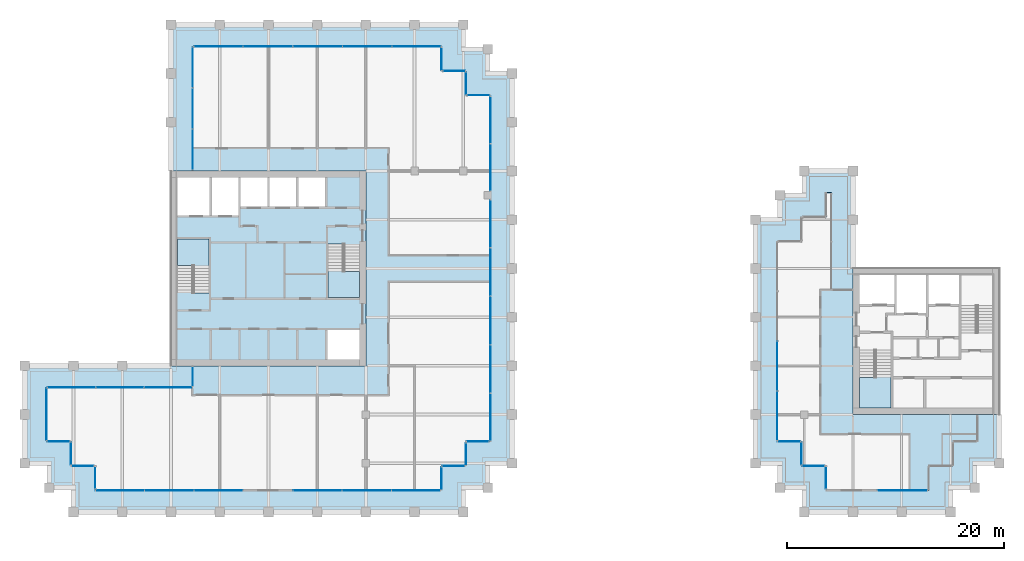
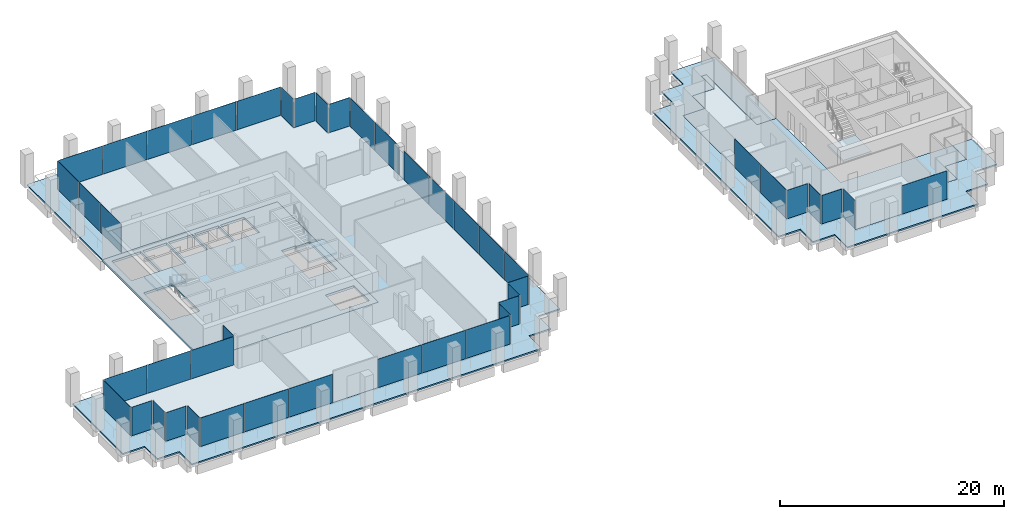
# One storey, part 34 of 40: 45 plates, 8 slabs, 30 elements without a shape of their own.
"""IFC4 building model written with IfcOpenShell, lengths in metres."""

from ifc_helpers import new_model, si_unit, direction, frame, origin, origin_2d, place, context, subcontext, project, spatial, polyline, rectangle, outline, extrude, material, layer, layer_set, type_object, element, aggregate, save


model = new_model("IFC4")

# Units and contexts
model_context = context("Model", 3, precision=1e-05, world=origin(), true_north=direction((0.0, 1.0)))
body_context = subcontext(model_context, "Body", "Model", "MODEL_VIEW")
ifc_project = project(units=[si_unit("LENGTHUNIT", "METRE"), si_unit("AREAUNIT", "SQUARE_METRE"), si_unit("VOLUMEUNIT", "CUBIC_METRE"), si_unit("PLANEANGLEUNIT", "RADIAN"), si_unit("MASSUNIT", "GRAM", prefix="KILO")], contexts=[model_context])

# Site, building, storey
site_placement = place(None, origin())
site = spatial("IfcSite", under=ifc_project, at=site_placement, CompositionType="ELEMENT")
building_placement = place(site_placement, origin())
building = spatial("IfcBuilding", under=site, at=building_placement, Name="Altepetl Exchange Towers", CompositionType="ELEMENT")
storey_placement = place(building_placement, frame((0.0, 0.0, 169.0)))
storey = spatial("IfcBuildingStorey", under=building, at=storey_placement, Name="L42", CompositionType="ELEMENT", Elevation=169.0)

# Slabs
ifc_material_1 = material(Name="Concrete C40/50", Category="concrete")
ifc_layer_1 = layer(ifc_material_1, 0.14990234375)
ifc_layer_set_1 = layer_set([ifc_layer_1], Name="Concrete C40/50")
slab_type_1 = type_object("IfcSlabType", Name="Composite floor slab 150", PredefinedType="FLOOR", material=ifc_layer_set_1)
slab_1_placement = place(storey_placement, frame((0.0, 0.0, -0.14990234375)))
element("IfcSlab", 1, at=slab_1_placement, inside=storey, type_object=slab_type_1, Name="slab:A:L42:strip0", PredefinedType="FLOOR", context=body_context, shape_type="SweptSolid", body=[
    extrude(outline(polyline([(42.5, 70.0), (42.5, 58.5), (58.5, 58.5), (58.5, 40.5), (42.5, 40.5), (42.5, 38.5), (29.0, 38.5), (29.0, 33.5), (31.25, 33.5), (31.25, 31.25), (33.5, 31.25), (33.5, 29.0), (65.5, 29.0), (65.5, 31.25), (67.75, 31.25), (67.75, 33.5), (70.0, 33.5), (70.0, 65.5), (67.75, 65.5), (67.75, 67.75), (65.5, 67.75), (65.5, 70.0), (42.5, 70.0)])), origin(), (0.0, 0.0, 1.0), 0.14990234375),
])
slab_2_placement = place(storey_placement, frame((0.0, 0.0, -0.14990234375)))
element("IfcSlab", 2, at=slab_2_placement, inside=storey, type_object=slab_type_1, Name="slab:B:L42:strip0", PredefinedType="FLOOR", context=body_context, shape_type="SweptSolid", body=[
    extrude(outline(polyline([(98.75, 31.25), (101.0, 31.25), (101.0, 29.0), (110.5, 29.0), (110.5, 31.25), (112.75, 31.25), (112.75, 33.5), (115.0, 33.5), (115.0, 36.0), (103.5, 36.0), (103.5, 47.5), (101.5, 47.5), (101.5, 56.5), (101.0, 56.5), (101.0, 54.25), (98.75, 54.25), (98.75, 52.0), (96.5, 52.0), (96.5, 33.5), (98.75, 33.5), (98.75, 31.25)])), origin(), (0.0, 0.0, 1.0), 0.14990234375),
])
ifc_layer_2 = layer(ifc_material_1, 0.25)
ifc_layer_set_2 = layer_set([ifc_layer_2], Name="Concrete C40/50")
slab_type_2 = type_object("IfcSlabType", Name="Core floor slab 250", PredefinedType="FLOOR", material=ifc_layer_set_2)
slab_3_placement = place(storey_placement, frame((0.0, 0.0, -0.25)))
element("IfcSlab", 3, at=slab_3_placement, inside=storey, type_object=slab_type_2, Name="slab:A:L42:core0", PredefinedType="FLOOR", context=body_context, shape_type="SweptSolid", body=[
    extrude(outline(polyline([(40.5, 40.5), (58.5, 40.5), (58.5, 58.5), (40.5, 58.5), (40.5, 40.5)]), holes=[polyline([(54.93310546875, 43.800048828125), (57.89990234375, 43.800048828125), (57.89990234375, 41.10009765625), (54.93310546875, 41.10009765625), (54.93310546875, 43.800048828125)]), polyline([(55.0, 51.7490234375), (56.5, 51.7490234375), (56.5, 51.64990234375), (57.89990234375, 51.64990234375), (57.89990234375, 46.800048828125), (55.0, 46.800048828125), (55.0, 51.7490234375)]), polyline([(44.0, 47.2509765625), (42.5, 47.2509765625), (42.5, 47.35009765625), (41.10009765625, 47.35009765625), (41.10009765625, 52.199951171875), (44.0, 52.199951171875), (44.0, 47.2509765625)]), polyline([(41.10009765625, 57.89990234375), (44.06689453125, 57.89990234375), (44.06689453125, 54.39990234375), (41.10009765625, 54.39990234375), (41.10009765625, 57.89990234375)]), polyline([(44.26708984375, 57.89990234375), (46.73291015625, 57.89990234375), (46.73291015625, 54.39990234375), (44.26708984375, 54.39990234375), (44.26708984375, 57.89990234375)]), polyline([(46.93310546875, 57.89990234375), (49.39990234375, 57.89990234375), (49.39990234375, 55.199951171875), (46.93310546875, 55.199951171875), (46.93310546875, 57.89990234375)]), polyline([(49.60009765625, 57.89990234375), (52.06689453125, 57.89990234375), (52.06689453125, 55.199951171875), (49.60009765625, 55.199951171875), (49.60009765625, 57.89990234375)]), polyline([(52.26708984375, 57.89990234375), (54.73291015625, 57.89990234375), (54.73291015625, 55.199951171875), (52.26708984375, 55.199951171875), (52.26708984375, 57.89990234375)])]), origin(), (0.0, 0.0, 1.0), 0.25),
])

# Curtain wall, plate
ifc_material_2 = material(Name="Aluminium 6063-T6 glazing", Category="aluminium")
curtain_wall_type = type_object("IfcCurtainWallType", Name="Loggia glazing system", PredefinedType="NOTDEFINED", material=ifc_material_2)
curtain_wall_1_placement = place(storey_placement, origin())
curtain_wall_1 = element("IfcCurtainWall", 4, at=curtain_wall_1_placement, inside=storey, type_object=curtain_wall_type, Name="CW1 run", PredefinedType="NOTDEFINED")
ifc_material_3 = material(Name="Glass 6-16-6 low emissivity", Category="glass")
ifc_layer_3 = layer(ifc_material_3, 0.028076171875)
ifc_layer_set_3 = layer_set([ifc_layer_3], Name="Glass 6-16-6 low emissivity")
plate_type = type_object("IfcPlateType", Name="Glass panel 28 double glazed", PredefinedType="CURTAIN_PANEL", material=ifc_layer_set_3)
plate_1_placement = place(storey_placement, frame((42.5, 39.53759765625, 0.0), z_axis=(0.0, 0.0, 1.0), x_axis=(0.0, -1.0, 0.0)))
plate_1 = element("IfcPlate", 5, at=plate_1_placement, type_object=plate_type, Name="GP1 panel", PredefinedType="CURTAIN_PANEL", context=body_context, shape_type="SweptSolid", body=[
    extrude(rectangle(XDim=1.804931640625, YDim=0.028076171875, at=origin_2d()), origin(), (0.0, 0.0, 1.0), 3.10009765625),
])
aggregate(curtain_wall_1, [plate_1])

# Curtain wall, plates
curtain_wall_2_placement = place(storey_placement, origin())
curtain_wall_2 = element("IfcCurtainWall", 6, at=curtain_wall_2_placement, inside=storey, type_object=curtain_wall_type, Name="CW1 run", PredefinedType="NOTDEFINED")
plate_2_placement = place(storey_placement, frame((40.24755859375, 38.5, 0.0), z_axis=(0.0, 0.0, 1.0), x_axis=(-1.0, 0.0, 0.0)))
plate_2 = element("IfcPlate", 7, at=plate_2_placement, type_object=plate_type, Name="GP1 panel", PredefinedType="CURTAIN_PANEL", context=body_context, shape_type="SweptSolid", body=[
    extrude(rectangle(XDim=4.385009765625, YDim=0.028076171875, at=origin_2d()), origin(), (0.0, 0.0, 1.0), 3.10009765625),
])
plate_3_placement = place(storey_placement, frame((35.78759765625, 38.5, 0.0), z_axis=(0.0, 0.0, 1.0), x_axis=(-1.0, 0.0, 0.0)))
plate_3 = element("IfcPlate", 8, at=plate_3_placement, type_object=plate_type, Name="GP1 panel", PredefinedType="CURTAIN_PANEL", context=body_context, shape_type="SweptSolid", body=[
    extrude(rectangle(XDim=4.4150390625, YDim=0.028076171875, at=origin_2d()), origin(), (0.0, 0.0, 1.0), 3.10009765625),
])
plate_4_placement = place(storey_placement, frame((31.327392578125, 38.5, 0.0), z_axis=(0.0, 0.0, 1.0), x_axis=(-1.0, 0.0, 0.0)))
plate_4 = element("IfcPlate", 9, at=plate_4_placement, type_object=plate_type, Name="GP1 panel", PredefinedType="CURTAIN_PANEL", context=body_context, shape_type="SweptSolid", body=[
    extrude(rectangle(XDim=4.385009765625, YDim=0.028076171875, at=origin_2d()), origin(), (0.0, 0.0, 1.0), 3.10009765625),
])
aggregate(curtain_wall_2, [plate_2, plate_3, plate_4])

# Curtain wall, plate
curtain_wall_3_placement = place(storey_placement, origin())
curtain_wall_3 = element("IfcCurtainWall", 10, at=curtain_wall_3_placement, inside=storey, type_object=curtain_wall_type, Name="CW1 run", PredefinedType="NOTDEFINED")
plate_5_placement = place(storey_placement, frame((29.0, 36.03759765625, 0.0), z_axis=(0.0, 0.0, 1.0), x_axis=(0.0, -1.0, 0.0)))
plate_5 = element("IfcPlate", 11, at=plate_5_placement, type_object=plate_type, Name="GP1 panel", PredefinedType="CURTAIN_PANEL", context=body_context, shape_type="SweptSolid", body=[
    extrude(rectangle(XDim=4.804931640625, YDim=0.028076171875, at=origin_2d()), origin(), (0.0, 0.0, 1.0), 3.10009765625),
])
aggregate(curtain_wall_3, [plate_5])

curtain_wall_4_placement = place(storey_placement, origin())
curtain_wall_4 = element("IfcCurtainWall", 12, at=curtain_wall_4_placement, inside=storey, type_object=curtain_wall_type, Name="CW1 run", PredefinedType="NOTDEFINED")
plate_6_placement = place(storey_placement, frame((30.08740234375, 33.5, 0.0)))
plate_6 = element("IfcPlate", 13, at=plate_6_placement, type_object=plate_type, Name="GP1 panel", PredefinedType="CURTAIN_PANEL", context=body_context, shape_type="SweptSolid", body=[
    extrude(rectangle(XDim=2.054931640625, YDim=0.028076171875, at=origin_2d()), origin(), (0.0, 0.0, 1.0), 3.10009765625),
])
aggregate(curtain_wall_4, [plate_6])

curtain_wall_5_placement = place(storey_placement, origin())
curtain_wall_5 = element("IfcCurtainWall", 14, at=curtain_wall_5_placement, inside=storey, type_object=curtain_wall_type, Name="CW1 run", PredefinedType="NOTDEFINED")
plate_7_placement = place(storey_placement, frame((31.25, 32.41259765625, 0.0), z_axis=(0.0, 0.0, 1.0), x_axis=(0.0, -1.0, 0.0)))
plate_7 = element("IfcPlate", 15, at=plate_7_placement, type_object=plate_type, Name="GP1 panel", PredefinedType="CURTAIN_PANEL", context=body_context, shape_type="SweptSolid", body=[
    extrude(rectangle(XDim=2.054931640625, YDim=0.028076171875, at=origin_2d()), origin(), (0.0, 0.0, 1.0), 3.10009765625),
])
aggregate(curtain_wall_5, [plate_7])

curtain_wall_6_placement = place(storey_placement, origin())
curtain_wall_6 = element("IfcCurtainWall", 16, at=curtain_wall_6_placement, inside=storey, type_object=curtain_wall_type, Name="CW1 run", PredefinedType="NOTDEFINED")
plate_8_placement = place(storey_placement, frame((32.33740234375, 31.25, 0.0)))
plate_8 = element("IfcPlate", 17, at=plate_8_placement, type_object=plate_type, Name="GP1 panel", PredefinedType="CURTAIN_PANEL", context=body_context, shape_type="SweptSolid", body=[
    extrude(rectangle(XDim=2.054931640625, YDim=0.028076171875, at=origin_2d()), origin(), (0.0, 0.0, 1.0), 3.10009765625),
])
aggregate(curtain_wall_6, [plate_8])

curtain_wall_7_placement = place(storey_placement, origin())
curtain_wall_7 = element("IfcCurtainWall", 18, at=curtain_wall_7_placement, inside=storey, type_object=curtain_wall_type, Name="CW1 run", PredefinedType="NOTDEFINED")
plate_9_placement = place(storey_placement, frame((33.5, 30.16259765625, 0.0), z_axis=(0.0, 0.0, 1.0), x_axis=(0.0, -1.0, 0.0)))
plate_9 = element("IfcPlate", 19, at=plate_9_placement, type_object=plate_type, Name="GP1 panel", PredefinedType="CURTAIN_PANEL", context=body_context, shape_type="SweptSolid", body=[
    extrude(rectangle(XDim=2.054931640625, YDim=0.028076171875, at=origin_2d()), origin(), (0.0, 0.0, 1.0), 3.10009765625),
])
aggregate(curtain_wall_7, [plate_9])

# Curtain wall, plates
curtain_wall_8_placement = place(storey_placement, origin())
curtain_wall_8 = element("IfcCurtainWall", 20, at=curtain_wall_8_placement, inside=storey, type_object=curtain_wall_type, Name="CW1 run", PredefinedType="NOTDEFINED")
plate_10_placement = place(storey_placement, frame((35.79541015625, 29.0, 0.0)))
plate_10 = element("IfcPlate", 21, at=plate_10_placement, type_object=plate_type, Name="GP1 panel", PredefinedType="CURTAIN_PANEL", context=body_context, shape_type="SweptSolid", body=[
    extrude(rectangle(XDim=4.470703125, YDim=0.028076171875, at=origin_2d()), origin(), (0.0, 0.0, 1.0), 3.10009765625),
])
plate_11_placement = place(storey_placement, frame((40.341064453125, 29.0, 0.0)))
plate_11 = element("IfcPlate", 22, at=plate_11_placement, type_object=plate_type, Name="GP1 panel", PredefinedType="CURTAIN_PANEL", context=body_context, shape_type="SweptSolid", body=[
    extrude(rectangle(XDim=4.500732421875, YDim=0.028076171875, at=origin_2d()), origin(), (0.0, 0.0, 1.0), 3.10009765625),
])
plate_12_placement = place(storey_placement, frame((44.88671875, 29.0, 0.0)))
plate_12 = element("IfcPlate", 23, at=plate_12_placement, type_object=plate_type, Name="GP1 panel", PredefinedType="CURTAIN_PANEL", context=body_context, shape_type="SweptSolid", body=[
    extrude(rectangle(XDim=4.470703125, YDim=0.028076171875, at=origin_2d()), origin(), (0.0, 0.0, 1.0), 3.10009765625),
])
aggregate(curtain_wall_8, [plate_10, plate_11, plate_12])

curtain_wall_9_placement = place(storey_placement, origin())
curtain_wall_9 = element("IfcCurtainWall", 24, at=curtain_wall_9_placement, inside=storey, type_object=curtain_wall_type, Name="CW1 run", PredefinedType="NOTDEFINED")
plate_13_placement = place(storey_placement, frame((54.038330078125, 29.0, 0.0)))
plate_13 = element("IfcPlate", 25, at=plate_13_placement, type_object=plate_type, Name="GP1 panel", PredefinedType="CURTAIN_PANEL", context=body_context, shape_type="SweptSolid", body=[
    extrude(rectangle(XDim=4.470703125, YDim=0.028076171875, at=origin_2d()), origin(), (0.0, 0.0, 1.0), 3.10009765625),
])
plate_14_placement = place(storey_placement, frame((58.583984375, 29.0, 0.0)))
plate_14 = element("IfcPlate", 26, at=plate_14_placement, type_object=plate_type, Name="GP1 panel", PredefinedType="CURTAIN_PANEL", context=body_context, shape_type="SweptSolid", body=[
    extrude(rectangle(XDim=4.500732421875, YDim=0.028076171875, at=origin_2d()), origin(), (0.0, 0.0, 1.0), 3.10009765625),
])
plate_15_placement = place(storey_placement, frame((63.129638671875, 29.0, 0.0)))
plate_15 = element("IfcPlate", 27, at=plate_15_placement, type_object=plate_type, Name="GP1 panel", PredefinedType="CURTAIN_PANEL", context=body_context, shape_type="SweptSolid", body=[
    extrude(rectangle(XDim=4.470703125, YDim=0.028076171875, at=origin_2d()), origin(), (0.0, 0.0, 1.0), 3.10009765625),
])
aggregate(curtain_wall_9, [plate_13, plate_14, plate_15])

# Curtain wall, plate
curtain_wall_10_placement = place(storey_placement, origin())
curtain_wall_10 = element("IfcCurtainWall", 28, at=curtain_wall_10_placement, inside=storey, type_object=curtain_wall_type, Name="CW1 run", PredefinedType="NOTDEFINED")
plate_16_placement = place(storey_placement, frame((65.5, 30.08740234375, 0.0), z_axis=(0.0, 0.0, 1.0), x_axis=(0.0, 1.0, 0.0)))
plate_16 = element("IfcPlate", 29, at=plate_16_placement, type_object=plate_type, Name="GP1 panel", PredefinedType="CURTAIN_PANEL", context=body_context, shape_type="SweptSolid", body=[
    extrude(rectangle(XDim=2.054931640625, YDim=0.028076171875, at=origin_2d()), origin(), (0.0, 0.0, 1.0), 3.10009765625),
])
aggregate(curtain_wall_10, [plate_16])

curtain_wall_11_placement = place(storey_placement, origin())
curtain_wall_11 = element("IfcCurtainWall", 30, at=curtain_wall_11_placement, inside=storey, type_object=curtain_wall_type, Name="CW1 run", PredefinedType="NOTDEFINED")
plate_17_placement = place(storey_placement, frame((66.58740234375, 31.25, 0.0)))
plate_17 = element("IfcPlate", 31, at=plate_17_placement, type_object=plate_type, Name="GP1 panel", PredefinedType="CURTAIN_PANEL", context=body_context, shape_type="SweptSolid", body=[
    extrude(rectangle(XDim=2.054931640625, YDim=0.028076171875, at=origin_2d()), origin(), (0.0, 0.0, 1.0), 3.10009765625),
])
aggregate(curtain_wall_11, [plate_17])

curtain_wall_12_placement = place(storey_placement, origin())
curtain_wall_12 = element("IfcCurtainWall", 32, at=curtain_wall_12_placement, inside=storey, type_object=curtain_wall_type, Name="CW1 run", PredefinedType="NOTDEFINED")
plate_18_placement = place(storey_placement, frame((67.75, 32.33740234375, 0.0), z_axis=(0.0, 0.0, 1.0), x_axis=(0.0, 1.0, 0.0)))
plate_18 = element("IfcPlate", 33, at=plate_18_placement, type_object=plate_type, Name="GP1 panel", PredefinedType="CURTAIN_PANEL", context=body_context, shape_type="SweptSolid", body=[
    extrude(rectangle(XDim=2.054931640625, YDim=0.028076171875, at=origin_2d()), origin(), (0.0, 0.0, 1.0), 3.10009765625),
])
aggregate(curtain_wall_12, [plate_18])

curtain_wall_13_placement = place(storey_placement, origin())
curtain_wall_13 = element("IfcCurtainWall", 34, at=curtain_wall_13_placement, inside=storey, type_object=curtain_wall_type, Name="CW1 run", PredefinedType="NOTDEFINED")
plate_19_placement = place(storey_placement, frame((68.83740234375, 33.5, 0.0)))
plate_19 = element("IfcPlate", 35, at=plate_19_placement, type_object=plate_type, Name="GP1 panel", PredefinedType="CURTAIN_PANEL", context=body_context, shape_type="SweptSolid", body=[
    extrude(rectangle(XDim=2.054931640625, YDim=0.028076171875, at=origin_2d()), origin(), (0.0, 0.0, 1.0), 3.10009765625),
])
aggregate(curtain_wall_13, [plate_19])

# Curtain wall, plates
curtain_wall_14_placement = place(storey_placement, origin())
curtain_wall_14 = element("IfcCurtainWall", 36, at=curtain_wall_14_placement, inside=storey, type_object=curtain_wall_type, Name="CW1 run", PredefinedType="NOTDEFINED")
plate_20_placement = place(storey_placement, frame((70.0, 35.7529296875, 0.0), z_axis=(0.0, 0.0, 1.0), x_axis=(0.0, 1.0, 0.0)))
plate_20 = element("IfcPlate", 37, at=plate_20_placement, type_object=plate_type, Name="GP1 panel", PredefinedType="CURTAIN_PANEL", context=body_context, shape_type="SweptSolid", body=[
    extrude(rectangle(XDim=4.385986328125, YDim=0.028076171875, at=origin_2d()), origin(), (0.0, 0.0, 1.0), 3.10009765625),
])
plate_21_placement = place(storey_placement, frame((70.0, 40.214111328125, 0.0), z_axis=(0.0, 0.0, 1.0), x_axis=(0.0, 1.0, 0.0)))
plate_21 = element("IfcPlate", 38, at=plate_21_placement, type_object=plate_type, Name="GP1 panel", PredefinedType="CURTAIN_PANEL", context=body_context, shape_type="SweptSolid", body=[
    extrude(rectangle(XDim=4.416015625, YDim=0.028076171875, at=origin_2d()), origin(), (0.0, 0.0, 1.0), 3.10009765625),
])
plate_22_placement = place(storey_placement, frame((70.0, 44.68994140625, 0.0), z_axis=(0.0, 0.0, 1.0), x_axis=(0.0, 1.0, 0.0)))
plate_22 = element("IfcPlate", 39, at=plate_22_placement, type_object=plate_type, Name="GP1 panel", PredefinedType="CURTAIN_PANEL", context=body_context, shape_type="SweptSolid", body=[
    extrude(rectangle(XDim=4.416015625, YDim=0.028076171875, at=origin_2d()), origin(), (0.0, 0.0, 1.0), 3.10009765625),
])
plate_23_placement = place(storey_placement, frame((70.0, 49.166015625, 0.0), z_axis=(0.0, 0.0, 1.0), x_axis=(0.0, 1.0, 0.0)))
plate_23 = element("IfcPlate", 40, at=plate_23_placement, type_object=plate_type, Name="GP1 panel", PredefinedType="CURTAIN_PANEL", context=body_context, shape_type="SweptSolid", body=[
    extrude(rectangle(XDim=4.416015625, YDim=0.028076171875, at=origin_2d()), origin(), (0.0, 0.0, 1.0), 3.10009765625),
])
plate_24_placement = place(storey_placement, frame((70.0, 53.626953125, 0.0), z_axis=(0.0, 0.0, 1.0), x_axis=(0.0, 1.0, 0.0)))
plate_24 = element("IfcPlate", 41, at=plate_24_placement, type_object=plate_type, Name="GP1 panel", PredefinedType="CURTAIN_PANEL", context=body_context, shape_type="SweptSolid", body=[
    extrude(rectangle(XDim=4.385986328125, YDim=0.028076171875, at=origin_2d()), origin(), (0.0, 0.0, 1.0), 3.10009765625),
])
aggregate(curtain_wall_14, [plate_20, plate_21, plate_22, plate_23, plate_24])

curtain_wall_15_placement = place(storey_placement, origin())
curtain_wall_15 = element("IfcCurtainWall", 42, at=curtain_wall_15_placement, inside=storey, type_object=curtain_wall_type, Name="CW1 run", PredefinedType="NOTDEFINED")
plate_25_placement = place(storey_placement, frame((70.0, 58.836181640625, 0.0), z_axis=(0.0, 0.0, 1.0), x_axis=(0.0, 1.0, 0.0)))
plate_25 = element("IfcPlate", 43, at=plate_25_placement, type_object=plate_type, Name="GP1 panel", PredefinedType="CURTAIN_PANEL", context=body_context, shape_type="SweptSolid", body=[
    extrude(rectangle(XDim=4.3125, YDim=0.028076171875, at=origin_2d()), origin(), (0.0, 0.0, 1.0), 3.10009765625),
])
plate_26_placement = place(storey_placement, frame((70.0, 63.208740234375, 0.0), z_axis=(0.0, 0.0, 1.0), x_axis=(0.0, 1.0, 0.0)))
plate_26 = element("IfcPlate", 44, at=plate_26_placement, type_object=plate_type, Name="GP1 panel", PredefinedType="CURTAIN_PANEL", context=body_context, shape_type="SweptSolid", body=[
    extrude(rectangle(XDim=4.3125, YDim=0.028076171875, at=origin_2d()), origin(), (0.0, 0.0, 1.0), 3.10009765625),
])
aggregate(curtain_wall_15, [plate_25, plate_26])

# Curtain wall, plate
curtain_wall_16_placement = place(storey_placement, origin())
curtain_wall_16 = element("IfcCurtainWall", 45, at=curtain_wall_16_placement, inside=storey, type_object=curtain_wall_type, Name="CW1 run", PredefinedType="NOTDEFINED")
plate_27_placement = place(storey_placement, frame((68.91259765625, 65.5, 0.0), z_axis=(0.0, 0.0, 1.0), x_axis=(-1.0, 0.0, 0.0)))
plate_27 = element("IfcPlate", 46, at=plate_27_placement, type_object=plate_type, Name="GP1 panel", PredefinedType="CURTAIN_PANEL", context=body_context, shape_type="SweptSolid", body=[
    extrude(rectangle(XDim=2.054931640625, YDim=0.028076171875, at=origin_2d()), origin(), (0.0, 0.0, 1.0), 3.10009765625),
])
aggregate(curtain_wall_16, [plate_27])

curtain_wall_17_placement = place(storey_placement, origin())
curtain_wall_17 = element("IfcCurtainWall", 47, at=curtain_wall_17_placement, inside=storey, type_object=curtain_wall_type, Name="CW1 run", PredefinedType="NOTDEFINED")
plate_28_placement = place(storey_placement, frame((67.75, 66.58740234375, 0.0), z_axis=(0.0, 0.0, 1.0), x_axis=(0.0, 1.0, 0.0)))
plate_28 = element("IfcPlate", 48, at=plate_28_placement, type_object=plate_type, Name="GP1 panel", PredefinedType="CURTAIN_PANEL", context=body_context, shape_type="SweptSolid", body=[
    extrude(rectangle(XDim=2.054931640625, YDim=0.028076171875, at=origin_2d()), origin(), (0.0, 0.0, 1.0), 3.10009765625),
])
aggregate(curtain_wall_17, [plate_28])

curtain_wall_18_placement = place(storey_placement, origin())
curtain_wall_18 = element("IfcCurtainWall", 49, at=curtain_wall_18_placement, inside=storey, type_object=curtain_wall_type, Name="CW1 run", PredefinedType="NOTDEFINED")
plate_29_placement = place(storey_placement, frame((66.66259765625, 67.75, 0.0), z_axis=(0.0, 0.0, 1.0), x_axis=(-1.0, 0.0, 0.0)))
plate_29 = element("IfcPlate", 50, at=plate_29_placement, type_object=plate_type, Name="GP1 panel", PredefinedType="CURTAIN_PANEL", context=body_context, shape_type="SweptSolid", body=[
    extrude(rectangle(XDim=2.054931640625, YDim=0.028076171875, at=origin_2d()), origin(), (0.0, 0.0, 1.0), 3.10009765625),
])
aggregate(curtain_wall_18, [plate_29])

curtain_wall_19_placement = place(storey_placement, origin())
curtain_wall_19 = element("IfcCurtainWall", 51, at=curtain_wall_19_placement, inside=storey, type_object=curtain_wall_type, Name="CW1 run", PredefinedType="NOTDEFINED")
plate_30_placement = place(storey_placement, frame((65.5, 68.83740234375, 0.0), z_axis=(0.0, 0.0, 1.0), x_axis=(0.0, 1.0, 0.0)))
plate_30 = element("IfcPlate", 52, at=plate_30_placement, type_object=plate_type, Name="GP1 panel", PredefinedType="CURTAIN_PANEL", context=body_context, shape_type="SweptSolid", body=[
    extrude(rectangle(XDim=2.054931640625, YDim=0.028076171875, at=origin_2d()), origin(), (0.0, 0.0, 1.0), 3.10009765625),
])
aggregate(curtain_wall_19, [plate_30])

# Curtain wall, plates
curtain_wall_20_placement = place(storey_placement, origin())
curtain_wall_20 = element("IfcCurtainWall", 53, at=curtain_wall_20_placement, inside=storey, type_object=curtain_wall_type, Name="CW1 run", PredefinedType="NOTDEFINED")
plate_31_placement = place(storey_placement, frame((63.1923828125, 70.0, 0.0), z_axis=(0.0, 0.0, 1.0), x_axis=(-1.0, 0.0, 0.0)))
plate_31 = element("IfcPlate", 54, at=plate_31_placement, type_object=plate_type, Name="GP1 panel", PredefinedType="CURTAIN_PANEL", context=body_context, shape_type="SweptSolid", body=[
    extrude(rectangle(XDim=4.4951171875, YDim=0.028076171875, at=origin_2d()), origin(), (0.0, 0.0, 1.0), 3.10009765625),
])
plate_32_placement = place(storey_placement, frame((58.62255859375, 70.0, 0.0), z_axis=(0.0, 0.0, 1.0), x_axis=(-1.0, 0.0, 0.0)))
plate_32 = element("IfcPlate", 55, at=plate_32_placement, type_object=plate_type, Name="GP1 panel", PredefinedType="CURTAIN_PANEL", context=body_context, shape_type="SweptSolid", body=[
    extrude(rectangle(XDim=4.52490234375, YDim=0.028076171875, at=origin_2d()), origin(), (0.0, 0.0, 1.0), 3.10009765625),
])
plate_33_placement = place(storey_placement, frame((54.03759765625, 70.0, 0.0), z_axis=(0.0, 0.0, 1.0), x_axis=(-1.0, 0.0, 0.0)))
plate_33 = element("IfcPlate", 56, at=plate_33_placement, type_object=plate_type, Name="GP1 panel", PredefinedType="CURTAIN_PANEL", context=body_context, shape_type="SweptSolid", body=[
    extrude(rectangle(XDim=4.52490234375, YDim=0.028076171875, at=origin_2d()), origin(), (0.0, 0.0, 1.0), 3.10009765625),
])
plate_34_placement = place(storey_placement, frame((49.452392578125, 70.0, 0.0), z_axis=(0.0, 0.0, 1.0), x_axis=(-1.0, 0.0, 0.0)))
plate_34 = element("IfcPlate", 57, at=plate_34_placement, type_object=plate_type, Name="GP1 panel", PredefinedType="CURTAIN_PANEL", context=body_context, shape_type="SweptSolid", body=[
    extrude(rectangle(XDim=4.52490234375, YDim=0.028076171875, at=origin_2d()), origin(), (0.0, 0.0, 1.0), 3.10009765625),
])
plate_35_placement = place(storey_placement, frame((44.882568359375, 70.0, 0.0), z_axis=(0.0, 0.0, 1.0), x_axis=(-1.0, 0.0, 0.0)))
plate_35 = element("IfcPlate", 58, at=plate_35_placement, type_object=plate_type, Name="GP1 panel", PredefinedType="CURTAIN_PANEL", context=body_context, shape_type="SweptSolid", body=[
    extrude(rectangle(XDim=4.4951171875, YDim=0.028076171875, at=origin_2d()), origin(), (0.0, 0.0, 1.0), 3.10009765625),
])
aggregate(curtain_wall_20, [plate_31, plate_32, plate_33, plate_34, plate_35])

curtain_wall_21_placement = place(storey_placement, origin())
curtain_wall_21 = element("IfcCurtainWall", 59, at=curtain_wall_21_placement, inside=storey, type_object=curtain_wall_type, Name="CW1 run", PredefinedType="NOTDEFINED")
plate_36_placement = place(storey_placement, frame((42.5, 68.080810546875, 0.0), z_axis=(0.0, 0.0, 1.0), x_axis=(0.0, -1.0, 0.0)))
plate_36 = element("IfcPlate", 60, at=plate_36_placement, type_object=plate_type, Name="GP1 panel", PredefinedType="CURTAIN_PANEL", context=body_context, shape_type="SweptSolid", body=[
    extrude(rectangle(XDim=3.71826171875, YDim=0.028076171875, at=origin_2d()), origin(), (0.0, 0.0, 1.0), 3.10009765625),
])
plate_37_placement = place(storey_placement, frame((42.5, 64.28759765625, 0.0), z_axis=(0.0, 0.0, 1.0), x_axis=(0.0, -1.0, 0.0)))
plate_37 = element("IfcPlate", 61, at=plate_37_placement, type_object=plate_type, Name="GP1 panel", PredefinedType="CURTAIN_PANEL", context=body_context, shape_type="SweptSolid", body=[
    extrude(rectangle(XDim=3.748291015625, YDim=0.028076171875, at=origin_2d()), origin(), (0.0, 0.0, 1.0), 3.10009765625),
])
plate_38_placement = place(storey_placement, frame((42.5, 60.494140625, 0.0), z_axis=(0.0, 0.0, 1.0), x_axis=(0.0, -1.0, 0.0)))
plate_38 = element("IfcPlate", 62, at=plate_38_placement, type_object=plate_type, Name="GP1 panel", PredefinedType="CURTAIN_PANEL", context=body_context, shape_type="SweptSolid", body=[
    extrude(rectangle(XDim=3.71826171875, YDim=0.028076171875, at=origin_2d()), origin(), (0.0, 0.0, 1.0), 3.10009765625),
])
aggregate(curtain_wall_21, [plate_36, plate_37, plate_38])

# Curtain wall, plate
curtain_wall_22_placement = place(storey_placement, origin())
curtain_wall_22 = element("IfcCurtainWall", 63, at=curtain_wall_22_placement, inside=storey, type_object=curtain_wall_type, Name="CW1 run", PredefinedType="NOTDEFINED")
plate_39_placement = place(storey_placement, frame((101.0, 30.16259765625, 0.0), z_axis=(0.0, 0.0, 1.0), x_axis=(0.0, -1.0, 0.0)))
plate_39 = element("IfcPlate", 64, at=plate_39_placement, type_object=plate_type, Name="GP1 panel", PredefinedType="CURTAIN_PANEL", context=body_context, shape_type="SweptSolid", body=[
    extrude(rectangle(XDim=2.054931640625, YDim=0.028076171875, at=origin_2d()), origin(), (0.0, 0.0, 1.0), 3.10009765625),
])
aggregate(curtain_wall_22, [plate_39])

curtain_wall_23_placement = place(storey_placement, origin())
curtain_wall_23 = element("IfcCurtainWall", 65, at=curtain_wall_23_placement, inside=storey, type_object=curtain_wall_type, Name="CW1 run", PredefinedType="NOTDEFINED")
plate_40_placement = place(storey_placement, frame((108.06884765625, 29.0, 0.0)))
plate_40 = element("IfcPlate", 66, at=plate_40_placement, type_object=plate_type, Name="GP1 panel", PredefinedType="CURTAIN_PANEL", context=body_context, shape_type="SweptSolid", body=[
    extrude(rectangle(XDim=4.592529296875, YDim=0.028076171875, at=origin_2d()), origin(), (0.0, 0.0, 1.0), 3.10009765625),
])
aggregate(curtain_wall_23, [plate_40])

# Curtain wall, plates
curtain_wall_24_placement = place(storey_placement, origin())
curtain_wall_24 = element("IfcCurtainWall", 67, at=curtain_wall_24_placement, inside=storey, type_object=curtain_wall_type, Name="CW1 run", PredefinedType="NOTDEFINED")
plate_41_placement = place(storey_placement, frame((96.5, 40.484375, 0.0), z_axis=(0.0, 0.0, 1.0), x_axis=(0.0, -1.0, 0.0)))
plate_41 = element("IfcPlate", 68, at=plate_41_placement, type_object=plate_type, Name="GP1 panel", PredefinedType="CURTAIN_PANEL", context=body_context, shape_type="SweptSolid", body=[
    extrude(rectangle(XDim=4.546142578125, YDim=0.028076171875, at=origin_2d()), origin(), (0.0, 0.0, 1.0), 3.10009765625),
])
plate_42_placement = place(storey_placement, frame((96.5, 35.89306640625, 0.0), z_axis=(0.0, 0.0, 1.0), x_axis=(0.0, -1.0, 0.0)))
plate_42 = element("IfcPlate", 69, at=plate_42_placement, type_object=plate_type, Name="GP1 panel", PredefinedType="CURTAIN_PANEL", context=body_context, shape_type="SweptSolid", body=[
    extrude(rectangle(XDim=4.516357421875, YDim=0.028076171875, at=origin_2d()), origin(), (0.0, 0.0, 1.0), 3.10009765625),
])
aggregate(curtain_wall_24, [plate_41, plate_42])

# Curtain wall, plate
curtain_wall_25_placement = place(storey_placement, origin())
curtain_wall_25 = element("IfcCurtainWall", 70, at=curtain_wall_25_placement, inside=storey, type_object=curtain_wall_type, Name="CW1 run", PredefinedType="NOTDEFINED")
plate_43_placement = place(storey_placement, frame((97.58740234375, 33.5, 0.0)))
plate_43 = element("IfcPlate", 71, at=plate_43_placement, type_object=plate_type, Name="GP1 panel", PredefinedType="CURTAIN_PANEL", context=body_context, shape_type="SweptSolid", body=[
    extrude(rectangle(XDim=2.054931640625, YDim=0.028076171875, at=origin_2d()), origin(), (0.0, 0.0, 1.0), 3.10009765625),
])
aggregate(curtain_wall_25, [plate_43])

curtain_wall_26_placement = place(storey_placement, origin())
curtain_wall_26 = element("IfcCurtainWall", 72, at=curtain_wall_26_placement, inside=storey, type_object=curtain_wall_type, Name="CW1 run", PredefinedType="NOTDEFINED")
plate_44_placement = place(storey_placement, frame((98.75, 32.41259765625, 0.0), z_axis=(0.0, 0.0, 1.0), x_axis=(0.0, -1.0, 0.0)))
plate_44 = element("IfcPlate", 73, at=plate_44_placement, type_object=plate_type, Name="GP1 panel", PredefinedType="CURTAIN_PANEL", context=body_context, shape_type="SweptSolid", body=[
    extrude(rectangle(XDim=2.054931640625, YDim=0.028076171875, at=origin_2d()), origin(), (0.0, 0.0, 1.0), 3.10009765625),
])
aggregate(curtain_wall_26, [plate_44])

curtain_wall_27_placement = place(storey_placement, origin())
curtain_wall_27 = element("IfcCurtainWall", 74, at=curtain_wall_27_placement, inside=storey, type_object=curtain_wall_type, Name="CW1 run", PredefinedType="NOTDEFINED")
plate_45_placement = place(storey_placement, frame((99.83740234375, 31.25, 0.0)))
plate_45 = element("IfcPlate", 75, at=plate_45_placement, type_object=plate_type, Name="GP1 panel", PredefinedType="CURTAIN_PANEL", context=body_context, shape_type="SweptSolid", body=[
    extrude(rectangle(XDim=2.054931640625, YDim=0.028076171875, at=origin_2d()), origin(), (0.0, 0.0, 1.0), 3.10009765625),
])
aggregate(curtain_wall_27, [plate_45])

# Slabs
ifc_layer_4 = layer(ifc_material_1, 0.14990234375)
ifc_layer_set_4 = layer_set([ifc_layer_4], Name="Concrete C40/50")
slab_type_3 = type_object("IfcSlabType", Name="Loggia slab 150", PredefinedType="FLOOR", material=ifc_layer_set_4)
slab_4_placement = place(storey_placement, frame((0.0, 0.0, -0.14990234375)))
element("IfcSlab", 76, at=slab_4_placement, inside=storey, type_object=slab_type_3, Name="slab:A:L42:loggia0", PredefinedType="FLOOR", context=body_context, shape_type="SweptSolid", body=[
    extrude(outline(polyline([(40.5, 72.0), (40.5, 58.5), (42.5, 58.5), (42.5, 70.0), (65.5, 70.0), (65.5, 67.75), (67.75, 67.75), (67.75, 65.5), (70.0, 65.5), (70.0, 33.5), (67.75, 33.5), (67.75, 31.25), (65.5, 31.25), (65.5, 29.0), (33.5, 29.0), (33.5, 31.25), (31.25, 31.25), (31.25, 33.5), (29.0, 33.5), (29.0, 38.5), (42.5, 38.5), (42.5, 40.5), (40.5, 40.5), (27.0, 40.5), (27.0, 31.5), (29.25, 31.5), (29.25, 29.25), (31.5, 29.25), (31.5, 27.0), (58.5, 27.0), (67.5, 27.0), (67.5, 29.25), (69.75, 29.25), (69.75, 31.5), (72.0, 31.5), (72.0, 58.5), (72.0, 67.5), (69.75, 67.5), (69.75, 69.75), (67.5, 69.75), (67.5, 72.0), (40.5, 72.0)])), origin(), (0.0, 0.0, 1.0), 0.14990234375),
])
slab_5_placement = place(storey_placement, frame((0.0, 0.0, -0.14990234375)))
element("IfcSlab", 77, at=slab_5_placement, inside=storey, type_object=slab_type_3, Name="slab:B:L42:loggia0", PredefinedType="FLOOR", context=body_context, shape_type="SweptSolid", body=[
    extrude(outline(polyline([(99.0, 29.25), (99.0, 27.0), (112.5, 27.0), (112.5, 29.25), (114.75, 29.25), (114.75, 31.5), (117.0, 31.5), (117.0, 36.0), (115.0, 36.0), (115.0, 33.5), (112.75, 33.5), (112.75, 31.25), (110.5, 31.25), (110.5, 29.0), (101.0, 29.0), (101.0, 31.25), (98.75, 31.25), (98.75, 33.5), (96.5, 33.5), (96.5, 52.0), (98.75, 52.0), (98.75, 54.25), (101.0, 54.25), (101.0, 56.5), (101.5, 56.5), (101.5, 47.5), (103.5, 47.5), (103.5, 49.5), (103.5, 58.5), (99.0, 58.5), (99.0, 56.25), (96.75, 56.25), (96.75, 54.0), (94.5, 54.0), (94.5, 36.0), (94.5, 31.5), (96.75, 31.5), (96.75, 29.25), (99.0, 29.25)])), origin(), (0.0, 0.0, 1.0), 0.14990234375),
])

# Stair, slab
stair_type = type_object("IfcStairType", Name="Exit stair 1400 flights dogleg", PredefinedType="HALF_TURN_STAIR", material=ifc_material_1)
stair_1_placement = place(storey_placement, origin())
stair_1 = element("IfcStair", 78, at=stair_1_placement, inside=storey, type_object=stair_type, Name="Exit stair 1", PredefinedType="HALF_TURN_STAIR")
ifc_layer_5 = layer(ifc_material_1, 0.199951171875)
ifc_layer_set_5 = layer_set([ifc_layer_5], Name="Concrete C40/50")
slab_type_4 = type_object("IfcSlabType", Name="Stair landing 200 reinforced concrete", PredefinedType="LANDING", material=ifc_layer_set_5)
slab_6_placement = place(storey_placement, frame((0.0, 0.0, 1.60009765625)))
slab_6 = element("IfcSlab", 79, at=slab_6_placement, type_object=slab_type_4, Name="ST-A1e landing 1", PredefinedType="LANDING", context=body_context, shape_type="SweptSolid", body=[
    extrude(outline(polyline([(44.0, 49.669921875), (42.60009765625, 49.669921875), (42.60009765625, 49.77001953125), (42.5, 49.77001953125), (42.5, 49.769287109375), (41.10009765625, 49.769287109375), (41.10009765625, 49.77001953125), (41.10009765625, 52.199951171875), (44.0, 52.199951171875), (44.0, 49.77001953125), (44.0, 49.669921875)])), origin(), (0.0, 0.0, 1.0), 0.199951171875),
])
aggregate(stair_1, [slab_6])

stair_2_placement = place(storey_placement, origin())
stair_2 = element("IfcStair", 80, at=stair_2_placement, inside=storey, type_object=stair_type, Name="Exit stair 2", PredefinedType="HALF_TURN_STAIR")
slab_7_placement = place(storey_placement, frame((0.0, 0.0, 1.60009765625)))
slab_7 = element("IfcSlab", 81, at=slab_7_placement, type_object=slab_type_4, Name="ST-A2e landing 1", PredefinedType="LANDING", context=body_context, shape_type="SweptSolid", body=[
    extrude(outline(polyline([(57.89990234375, 46.800048828125), (55.0, 46.800048828125), (55.0, 49.22998046875), (55.0, 49.330078125), (56.39990234375, 49.330078125), (56.39990234375, 49.22998046875), (56.5, 49.22998046875), (56.5, 49.230712890625), (57.89990234375, 49.230712890625), (57.89990234375, 49.22998046875), (57.89990234375, 46.800048828125)])), origin(), (0.0, 0.0, 1.0), 0.199951171875),
])
aggregate(stair_2, [slab_7])

stair_3_placement = place(storey_placement, origin())
stair_3 = element("IfcStair", 82, at=stair_3_placement, inside=storey, type_object=stair_type, Name="Exit stair 1", PredefinedType="HALF_TURN_STAIR")
slab_8_placement = place(storey_placement, frame((0.0, 0.0, 1.60009765625)))
slab_8 = element("IfcSlab", 83, at=slab_8_placement, type_object=slab_type_4, Name="ST-B1e landing 1", PredefinedType="LANDING", context=body_context, shape_type="SweptSolid", body=[
    extrude(outline(polyline([(107.0, 36.60009765625), (104.10009765625, 36.60009765625), (104.10009765625, 39.429931640625), (104.10009765625, 39.4306640625), (105.5, 39.4306640625), (105.5, 39.429931640625), (105.60009765625, 39.429931640625), (105.60009765625, 39.530029296875), (107.0, 39.530029296875), (107.0, 39.429931640625), (107.0, 36.60009765625)])), origin(), (0.0, 0.0, 1.0), 0.199951171875),
])
aggregate(stair_3, [slab_8])

save(model, "model.ifc")
